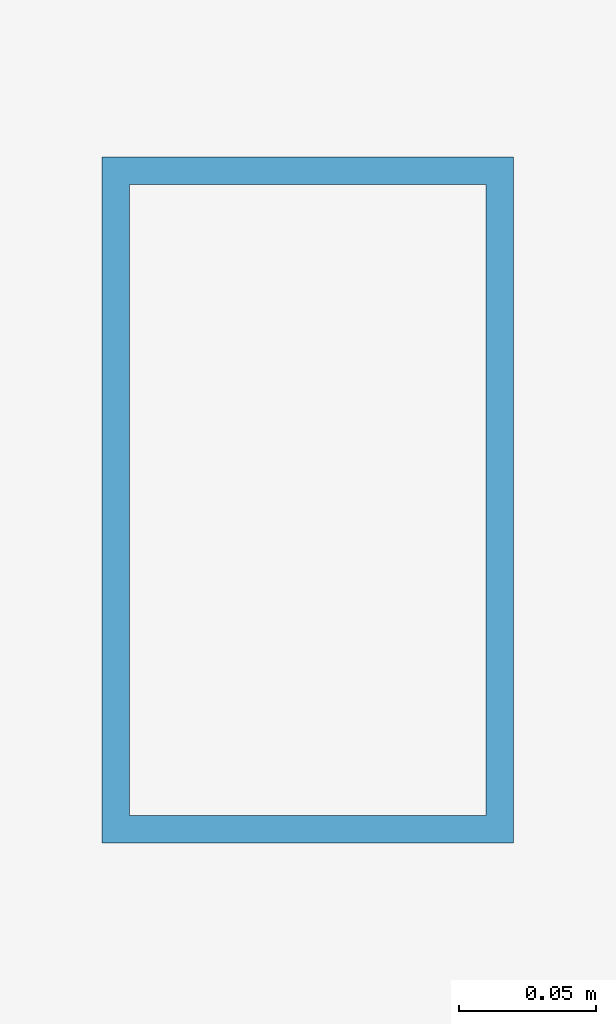
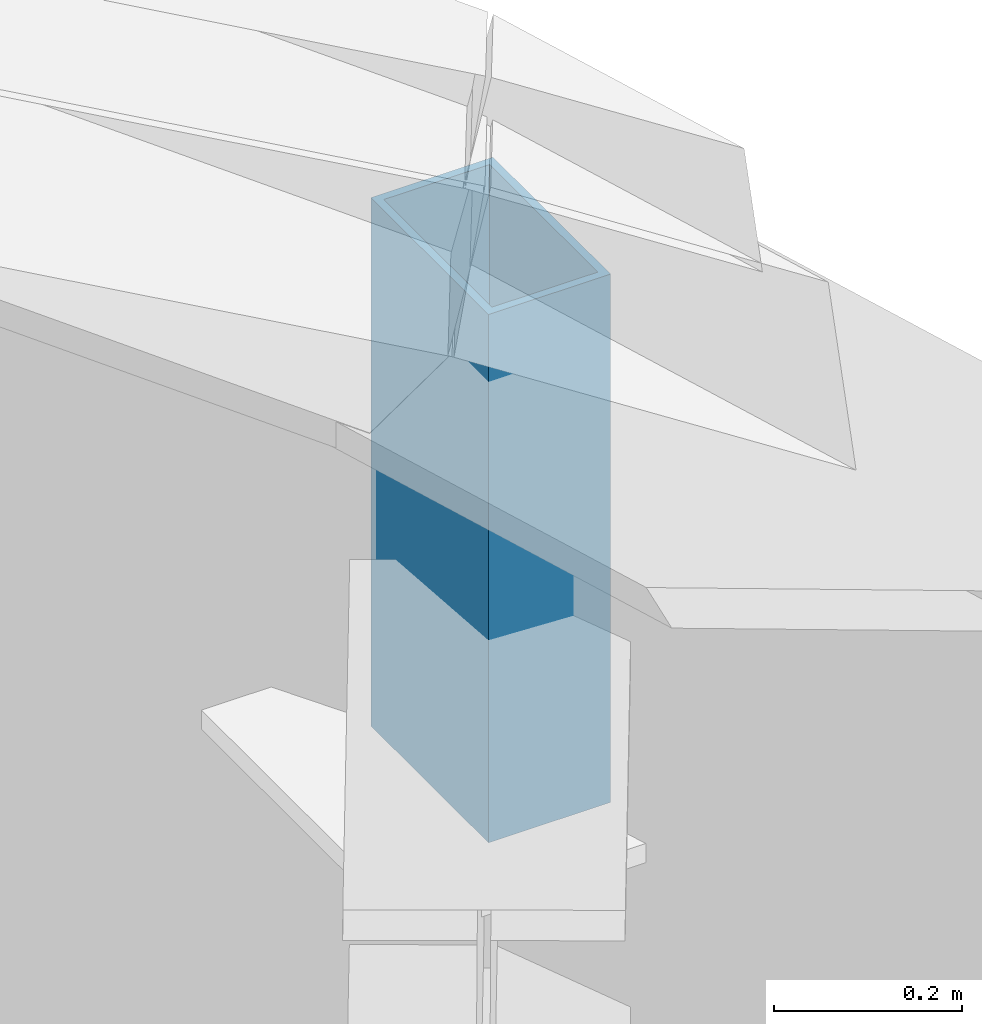
# One storey, part 48 of 68: 1 member.
"""IFC4 building model written with IfcOpenShell, lengths in metres."""

from ifc_helpers import new_model, si_unit, direction, frame, origin, origin_2d, place, context, subcontext, project, spatial, hollow_rectangle, extrude, material, material_profile, profile_set, type_object, element, save


model = new_model("IFC4")

# Units and contexts
model_context = context("Model", 3, precision=1e-05, world=origin(), true_north=direction((0.0, 1.0)))
body_context = subcontext(model_context, "Body", "Model", "MODEL_VIEW")
ifc_project = project(units=[si_unit("LENGTHUNIT", "METRE"), si_unit("AREAUNIT", "SQUARE_METRE"), si_unit("VOLUMEUNIT", "CUBIC_METRE"), si_unit("PLANEANGLEUNIT", "RADIAN"), si_unit("MASSUNIT", "GRAM", prefix="KILO")], contexts=[model_context])

# Site, building, storey
site_placement = place(None, origin())
site = spatial("IfcSite", under=ifc_project, at=site_placement, CompositionType="ELEMENT")
building_placement = place(site_placement, origin())
building = spatial("IfcBuilding", under=site, at=building_placement, Name="Sohan Crest Arena", CompositionType="ELEMENT")
storey_placement = place(building_placement, frame((0.0, 0.0, 27.0)))
storey = spatial("IfcBuildingStorey", under=building, at=storey_placement, Name="RF", CompositionType="ELEMENT", Elevation=27.0)

# Member
ifc_material = material(Name="Steel S355", Category="steel")
ifc_material_profile = material_profile(ifc_material, hollow_rectangle(XDim=0.14990234375, YDim=0.25, WallThickness=0.010009765625, at=origin_2d()), Name="RHS 250x150x10")
ifc_profile_set = profile_set([ifc_material_profile], Name="Steel S355")
member_type = type_object("IfcMemberType", Name="STR-MEM-CH02", PredefinedType="CHORD", material=ifc_profile_set)
member_placement = place(storey_placement, frame((175.408935546875, 90.544921875, -3.68701171875), z_axis=(0.0, 0.0, 1.0), x_axis=(1.0, 0.0, 0.0)))
element("IfcMember", 1, at=member_placement, inside=storey, type_object=member_type, Name="Ring beam roof bearing saddle chord RSR-26", PredefinedType="CHORD", context=body_context, shape_type="SweptSolid", body=[
    extrude(hollow_rectangle(XDim=0.14990234375, YDim=0.25, WallThickness=0.010009765625, at=origin_2d()), origin(), (0.0, 0.0, 1.0), 0.68505859375),
])

save(model, "model.ifc")
